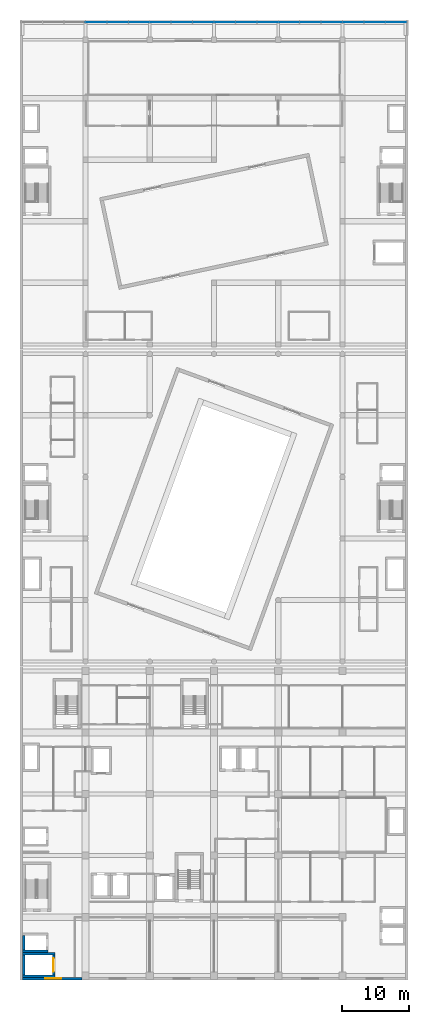
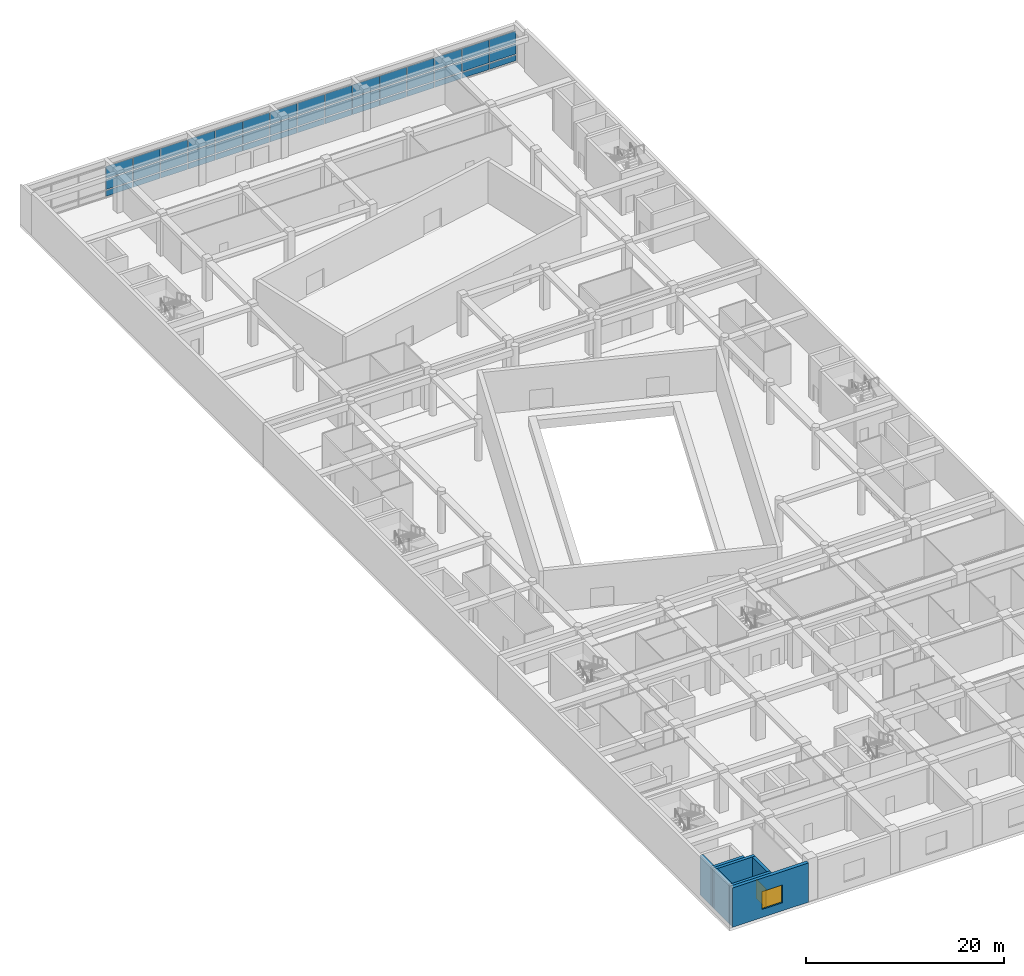
# One storey, part 7 of 31: 45 plates, 7 walls, 1 door, 1 window, 2 openings, 1 element without a shape of its own.
"""IFC4 building model written with IfcOpenShell, lengths in metres."""

from ifc_helpers import new_model, si_unit, direction, frame, frame_2d, origin, origin_2d, place, context, subcontext, project, spatial, rectangle, extrude, material, layer, layer_set, layer_usage, type_object, element, fill, aggregate, save


model = new_model("IFC4")

# Units and contexts
model_context = context("Model", 3, precision=1e-05, world=origin(), true_north=direction((0.0, 1.0)))
body_context = subcontext(model_context, "Body", "Model", "MODEL_VIEW")
ifc_project = project(units=[si_unit("LENGTHUNIT", "METRE"), si_unit("AREAUNIT", "SQUARE_METRE"), si_unit("VOLUMEUNIT", "CUBIC_METRE"), si_unit("PLANEANGLEUNIT", "RADIAN"), si_unit("MASSUNIT", "GRAM", prefix="KILO")], contexts=[model_context])

# Site, building, storey
site_placement = place(None, origin())
site = spatial("IfcSite", under=ifc_project, at=site_placement, CompositionType="ELEMENT")
building_placement = place(site_placement, origin())
building = spatial("IfcBuilding", under=site, at=building_placement, Name="Nzadi Deep Aquarium and Research Tower", CompositionType="ELEMENT")
storey_placement = place(building_placement, frame((0.0, 0.0, 26.699951171875)))
storey = spatial("IfcBuildingStorey", under=building, at=storey_placement, Name="L04", CompositionType="ELEMENT", Elevation=26.699951171875)

# Curtain wall, plates
ifc_material_1 = material(Name="Aluminium unitised frame tall span", Category="aluminium")
ifc_layer_1 = layer(ifc_material_1, 0.35009765625)
ifc_layer_set_1 = layer_set([ifc_layer_1], Name="Aluminium unitised frame tall span")
curtain_wall_type = type_object("IfcCurtainWallType", Name="Curtain wall Podium 350", PredefinedType="NOTDEFINED", material=ifc_layer_set_1)
curtain_wall_placement = place(storey_placement, origin())
curtain_wall = element("IfcCurtainWall", 1, at=curtain_wall_placement, inside=storey, type_object=curtain_wall_type, Name="North cascade curtain wall L04", PredefinedType="NOTDEFINED")
ifc_material_2 = material(Name="Glass, clear low-iron", Category="glass")
ifc_layer_2 = layer(ifc_material_2, 0.0400390625)
ifc_layer_set_2 = layer_set([ifc_layer_2], Name="Glass, clear low-iron")
plate_type_1 = type_object("IfcPlateType", Name="Glazing panel 40 Podium", PredefinedType="CURTAIN_PANEL", material=ifc_layer_set_2)
plate_1_placement = place(storey_placement, frame((11.199951171875, 142.97509765625, 0.97021484375), z_axis=(0.0, 0.0, 1.0), x_axis=(1.0, 0.0, 0.0)))
plate_1 = element("IfcPlate", 2, at=plate_1_placement, type_object=plate_type_1, Name="CW256 panel 4.2", PredefinedType="CURTAIN_PANEL", context=body_context, shape_type="SweptSolid", body=[
    extrude(rectangle(XDim=3.139892578125, YDim=0.0400390625, at=origin_2d()), origin(), (0.0, 0.0, 1.0), 1.235107421875),
])
plate_2_placement = place(storey_placement, frame((11.199951171875, 142.97509765625, 2.34521484375), z_axis=(0.0, 0.0, 1.0), x_axis=(1.0, 0.0, 0.0)))
plate_2 = element("IfcPlate", 3, at=plate_2_placement, type_object=plate_type_1, Name="CW256 panel 4.3", PredefinedType="CURTAIN_PANEL", context=body_context, shape_type="SweptSolid", body=[
    extrude(rectangle(XDim=3.139892578125, YDim=0.0400390625, at=origin_2d()), origin(), (0.0, 0.0, 1.0), 1.465087890625),
])
plate_3_placement = place(storey_placement, frame((14.39990234375, 142.97509765625, 0.97021484375), z_axis=(0.0, 0.0, 1.0), x_axis=(1.0, 0.0, 0.0)))
plate_3 = element("IfcPlate", 4, at=plate_3_placement, type_object=plate_type_1, Name="CW256 panel 5.2", PredefinedType="CURTAIN_PANEL", context=body_context, shape_type="SweptSolid", body=[
    extrude(rectangle(XDim=3.139892578125, YDim=0.0400390625, at=origin_2d()), origin(), (0.0, 0.0, 1.0), 1.235107421875),
])
plate_4_placement = place(storey_placement, frame((14.39990234375, 142.97509765625, 2.34521484375), z_axis=(0.0, 0.0, 1.0), x_axis=(1.0, 0.0, 0.0)))
plate_4 = element("IfcPlate", 5, at=plate_4_placement, type_object=plate_type_1, Name="CW256 panel 5.3", PredefinedType="CURTAIN_PANEL", context=body_context, shape_type="SweptSolid", body=[
    extrude(rectangle(XDim=3.139892578125, YDim=0.0400390625, at=origin_2d()), origin(), (0.0, 0.0, 1.0), 1.465087890625),
])
plate_5_placement = place(storey_placement, frame((17.60009765625, 142.97509765625, 0.97021484375), z_axis=(0.0, 0.0, 1.0), x_axis=(1.0, 0.0, 0.0)))
plate_5 = element("IfcPlate", 6, at=plate_5_placement, type_object=plate_type_1, Name="CW256 panel 6.2", PredefinedType="CURTAIN_PANEL", context=body_context, shape_type="SweptSolid", body=[
    extrude(rectangle(XDim=3.139892578125, YDim=0.0400390625, at=origin_2d()), origin(), (0.0, 0.0, 1.0), 1.235107421875),
])
plate_6_placement = place(storey_placement, frame((17.60009765625, 142.97509765625, 2.34521484375), z_axis=(0.0, 0.0, 1.0), x_axis=(1.0, 0.0, 0.0)))
plate_6 = element("IfcPlate", 7, at=plate_6_placement, type_object=plate_type_1, Name="CW256 panel 6.3", PredefinedType="CURTAIN_PANEL", context=body_context, shape_type="SweptSolid", body=[
    extrude(rectangle(XDim=3.139892578125, YDim=0.0400390625, at=origin_2d()), origin(), (0.0, 0.0, 1.0), 1.465087890625),
])
plate_7_placement = place(storey_placement, frame((20.800048828125, 142.97509765625, 0.97021484375), z_axis=(0.0, 0.0, 1.0), x_axis=(1.0, 0.0, 0.0)))
plate_7 = element("IfcPlate", 8, at=plate_7_placement, type_object=plate_type_1, Name="CW256 panel 7.2", PredefinedType="CURTAIN_PANEL", context=body_context, shape_type="SweptSolid", body=[
    extrude(rectangle(XDim=3.139892578125, YDim=0.0400390625, at=origin_2d()), origin(), (0.0, 0.0, 1.0), 1.235107421875),
])
plate_8_placement = place(storey_placement, frame((20.800048828125, 142.97509765625, 2.34521484375), z_axis=(0.0, 0.0, 1.0), x_axis=(1.0, 0.0, 0.0)))
plate_8 = element("IfcPlate", 9, at=plate_8_placement, type_object=plate_type_1, Name="CW256 panel 7.3", PredefinedType="CURTAIN_PANEL", context=body_context, shape_type="SweptSolid", body=[
    extrude(rectangle(XDim=3.139892578125, YDim=0.0400390625, at=origin_2d()), origin(), (0.0, 0.0, 1.0), 1.465087890625),
])
plate_9_placement = place(storey_placement, frame((24.0, 142.97509765625, 0.97021484375), z_axis=(0.0, 0.0, 1.0), x_axis=(1.0, 0.0, 0.0)))
plate_9 = element("IfcPlate", 10, at=plate_9_placement, type_object=plate_type_1, Name="CW256 panel 8.2", PredefinedType="CURTAIN_PANEL", context=body_context, shape_type="SweptSolid", body=[
    extrude(rectangle(XDim=3.139892578125, YDim=0.0400390625, at=origin_2d()), origin(), (0.0, 0.0, 1.0), 1.235107421875),
])
plate_10_placement = place(storey_placement, frame((24.0, 142.97509765625, 2.34521484375), z_axis=(0.0, 0.0, 1.0), x_axis=(1.0, 0.0, 0.0)))
plate_10 = element("IfcPlate", 11, at=plate_10_placement, type_object=plate_type_1, Name="CW256 panel 8.3", PredefinedType="CURTAIN_PANEL", context=body_context, shape_type="SweptSolid", body=[
    extrude(rectangle(XDim=3.139892578125, YDim=0.0400390625, at=origin_2d()), origin(), (0.0, 0.0, 1.0), 1.465087890625),
])
plate_11_placement = place(storey_placement, frame((27.199951171875, 142.97509765625, 0.97021484375), z_axis=(0.0, 0.0, 1.0), x_axis=(1.0, 0.0, 0.0)))
plate_11 = element("IfcPlate", 12, at=plate_11_placement, type_object=plate_type_1, Name="CW256 panel 9.2", PredefinedType="CURTAIN_PANEL", context=body_context, shape_type="SweptSolid", body=[
    extrude(rectangle(XDim=3.139892578125, YDim=0.0400390625, at=origin_2d()), origin(), (0.0, 0.0, 1.0), 1.235107421875),
])
plate_12_placement = place(storey_placement, frame((27.199951171875, 142.97509765625, 2.34521484375), z_axis=(0.0, 0.0, 1.0), x_axis=(1.0, 0.0, 0.0)))
plate_12 = element("IfcPlate", 13, at=plate_12_placement, type_object=plate_type_1, Name="CW256 panel 9.3", PredefinedType="CURTAIN_PANEL", context=body_context, shape_type="SweptSolid", body=[
    extrude(rectangle(XDim=3.139892578125, YDim=0.0400390625, at=origin_2d()), origin(), (0.0, 0.0, 1.0), 1.465087890625),
])
plate_13_placement = place(storey_placement, frame((30.39990234375, 142.97509765625, 0.97021484375), z_axis=(0.0, 0.0, 1.0), x_axis=(1.0, 0.0, 0.0)))
plate_13 = element("IfcPlate", 14, at=plate_13_placement, type_object=plate_type_1, Name="CW256 panel 10.2", PredefinedType="CURTAIN_PANEL", context=body_context, shape_type="SweptSolid", body=[
    extrude(rectangle(XDim=3.139892578125, YDim=0.0400390625, at=origin_2d()), origin(), (0.0, 0.0, 1.0), 1.235107421875),
])
plate_14_placement = place(storey_placement, frame((30.39990234375, 142.97509765625, 2.34521484375), z_axis=(0.0, 0.0, 1.0), x_axis=(1.0, 0.0, 0.0)))
plate_14 = element("IfcPlate", 15, at=plate_14_placement, type_object=plate_type_1, Name="CW256 panel 10.3", PredefinedType="CURTAIN_PANEL", context=body_context, shape_type="SweptSolid", body=[
    extrude(rectangle(XDim=3.139892578125, YDim=0.0400390625, at=origin_2d()), origin(), (0.0, 0.0, 1.0), 1.465087890625),
])
plate_15_placement = place(storey_placement, frame((33.60009765625, 142.97509765625, 0.97021484375), z_axis=(0.0, 0.0, 1.0), x_axis=(1.0, 0.0, 0.0)))
plate_15 = element("IfcPlate", 16, at=plate_15_placement, type_object=plate_type_1, Name="CW256 panel 11.2", PredefinedType="CURTAIN_PANEL", context=body_context, shape_type="SweptSolid", body=[
    extrude(rectangle(XDim=3.139892578125, YDim=0.0400390625, at=origin_2d()), origin(), (0.0, 0.0, 1.0), 1.235107421875),
])
plate_16_placement = place(storey_placement, frame((33.60009765625, 142.97509765625, 2.34521484375), z_axis=(0.0, 0.0, 1.0), x_axis=(1.0, 0.0, 0.0)))
plate_16 = element("IfcPlate", 17, at=plate_16_placement, type_object=plate_type_1, Name="CW256 panel 11.3", PredefinedType="CURTAIN_PANEL", context=body_context, shape_type="SweptSolid", body=[
    extrude(rectangle(XDim=3.139892578125, YDim=0.0400390625, at=origin_2d()), origin(), (0.0, 0.0, 1.0), 1.465087890625),
])
plate_17_placement = place(storey_placement, frame((36.800048828125, 142.97509765625, 0.97021484375), z_axis=(0.0, 0.0, 1.0), x_axis=(1.0, 0.0, 0.0)))
plate_17 = element("IfcPlate", 18, at=plate_17_placement, type_object=plate_type_1, Name="CW256 panel 12.2", PredefinedType="CURTAIN_PANEL", context=body_context, shape_type="SweptSolid", body=[
    extrude(rectangle(XDim=3.139892578125, YDim=0.0400390625, at=origin_2d()), origin(), (0.0, 0.0, 1.0), 1.235107421875),
])
plate_18_placement = place(storey_placement, frame((36.800048828125, 142.97509765625, 2.34521484375), z_axis=(0.0, 0.0, 1.0), x_axis=(1.0, 0.0, 0.0)))
plate_18 = element("IfcPlate", 19, at=plate_18_placement, type_object=plate_type_1, Name="CW256 panel 12.3", PredefinedType="CURTAIN_PANEL", context=body_context, shape_type="SweptSolid", body=[
    extrude(rectangle(XDim=3.139892578125, YDim=0.0400390625, at=origin_2d()), origin(), (0.0, 0.0, 1.0), 1.465087890625),
])
plate_19_placement = place(storey_placement, frame((40.0, 142.97509765625, 0.97021484375), z_axis=(0.0, 0.0, 1.0), x_axis=(1.0, 0.0, 0.0)))
plate_19 = element("IfcPlate", 20, at=plate_19_placement, type_object=plate_type_1, Name="CW256 panel 13.2", PredefinedType="CURTAIN_PANEL", context=body_context, shape_type="SweptSolid", body=[
    extrude(rectangle(XDim=3.139892578125, YDim=0.0400390625, at=origin_2d()), origin(), (0.0, 0.0, 1.0), 1.235107421875),
])
plate_20_placement = place(storey_placement, frame((40.0, 142.97509765625, 2.34521484375), z_axis=(0.0, 0.0, 1.0), x_axis=(1.0, 0.0, 0.0)))
plate_20 = element("IfcPlate", 21, at=plate_20_placement, type_object=plate_type_1, Name="CW256 panel 13.3", PredefinedType="CURTAIN_PANEL", context=body_context, shape_type="SweptSolid", body=[
    extrude(rectangle(XDim=3.139892578125, YDim=0.0400390625, at=origin_2d()), origin(), (0.0, 0.0, 1.0), 1.465087890625),
])
plate_21_placement = place(storey_placement, frame((43.199951171875, 142.97509765625, 0.97021484375), z_axis=(0.0, 0.0, 1.0), x_axis=(1.0, 0.0, 0.0)))
plate_21 = element("IfcPlate", 22, at=plate_21_placement, type_object=plate_type_1, Name="CW256 panel 14.2", PredefinedType="CURTAIN_PANEL", context=body_context, shape_type="SweptSolid", body=[
    extrude(rectangle(XDim=3.139892578125, YDim=0.0400390625, at=origin_2d()), origin(), (0.0, 0.0, 1.0), 1.235107421875),
])
plate_22_placement = place(storey_placement, frame((43.199951171875, 142.97509765625, 2.34521484375), z_axis=(0.0, 0.0, 1.0), x_axis=(1.0, 0.0, 0.0)))
plate_22 = element("IfcPlate", 23, at=plate_22_placement, type_object=plate_type_1, Name="CW256 panel 14.3", PredefinedType="CURTAIN_PANEL", context=body_context, shape_type="SweptSolid", body=[
    extrude(rectangle(XDim=3.139892578125, YDim=0.0400390625, at=origin_2d()), origin(), (0.0, 0.0, 1.0), 1.465087890625),
])
plate_23_placement = place(storey_placement, frame((46.39990234375, 142.97509765625, 0.97021484375), z_axis=(0.0, 0.0, 1.0), x_axis=(1.0, 0.0, 0.0)))
plate_23 = element("IfcPlate", 24, at=plate_23_placement, type_object=plate_type_1, Name="CW256 panel 15.2", PredefinedType="CURTAIN_PANEL", context=body_context, shape_type="SweptSolid", body=[
    extrude(rectangle(XDim=3.139892578125, YDim=0.0400390625, at=origin_2d()), origin(), (0.0, 0.0, 1.0), 1.235107421875),
])
plate_24_placement = place(storey_placement, frame((46.39990234375, 142.97509765625, 2.34521484375), z_axis=(0.0, 0.0, 1.0), x_axis=(1.0, 0.0, 0.0)))
plate_24 = element("IfcPlate", 25, at=plate_24_placement, type_object=plate_type_1, Name="CW256 panel 15.3", PredefinedType="CURTAIN_PANEL", context=body_context, shape_type="SweptSolid", body=[
    extrude(rectangle(XDim=3.139892578125, YDim=0.0400390625, at=origin_2d()), origin(), (0.0, 0.0, 1.0), 1.465087890625),
])
plate_25_placement = place(storey_placement, frame((49.60009765625, 142.97509765625, 0.97021484375), z_axis=(0.0, 0.0, 1.0), x_axis=(1.0, 0.0, 0.0)))
plate_25 = element("IfcPlate", 26, at=plate_25_placement, type_object=plate_type_1, Name="CW256 panel 16.2", PredefinedType="CURTAIN_PANEL", context=body_context, shape_type="SweptSolid", body=[
    extrude(rectangle(XDim=3.139892578125, YDim=0.0400390625, at=origin_2d()), origin(), (0.0, 0.0, 1.0), 1.235107421875),
])
plate_26_placement = place(storey_placement, frame((49.60009765625, 142.97509765625, 2.34521484375), z_axis=(0.0, 0.0, 1.0), x_axis=(1.0, 0.0, 0.0)))
plate_26 = element("IfcPlate", 27, at=plate_26_placement, type_object=plate_type_1, Name="CW256 panel 16.3", PredefinedType="CURTAIN_PANEL", context=body_context, shape_type="SweptSolid", body=[
    extrude(rectangle(XDim=3.139892578125, YDim=0.0400390625, at=origin_2d()), origin(), (0.0, 0.0, 1.0), 1.465087890625),
])
plate_27_placement = place(storey_placement, frame((52.800048828125, 142.97509765625, 0.97021484375), z_axis=(0.0, 0.0, 1.0), x_axis=(1.0, 0.0, 0.0)))
plate_27 = element("IfcPlate", 28, at=plate_27_placement, type_object=plate_type_1, Name="CW256 panel 17.2", PredefinedType="CURTAIN_PANEL", context=body_context, shape_type="SweptSolid", body=[
    extrude(rectangle(XDim=3.139892578125, YDim=0.0400390625, at=origin_2d()), origin(), (0.0, 0.0, 1.0), 1.235107421875),
])
plate_28_placement = place(storey_placement, frame((52.800048828125, 142.97509765625, 2.34521484375), z_axis=(0.0, 0.0, 1.0), x_axis=(1.0, 0.0, 0.0)))
plate_28 = element("IfcPlate", 29, at=plate_28_placement, type_object=plate_type_1, Name="CW256 panel 17.3", PredefinedType="CURTAIN_PANEL", context=body_context, shape_type="SweptSolid", body=[
    extrude(rectangle(XDim=3.139892578125, YDim=0.0400390625, at=origin_2d()), origin(), (0.0, 0.0, 1.0), 1.465087890625),
])
plate_29_placement = place(storey_placement, frame((55.985107421875, 142.97509765625, 0.97021484375), z_axis=(0.0, 0.0, 1.0), x_axis=(1.0, 0.0, 0.0)))
plate_29 = element("IfcPlate", 30, at=plate_29_placement, type_object=plate_type_1, Name="CW256 panel 18.2", PredefinedType="CURTAIN_PANEL", context=body_context, shape_type="SweptSolid", body=[
    extrude(rectangle(XDim=3.110107421875, YDim=0.0400390625, at=origin_2d()), origin(), (0.0, 0.0, 1.0), 1.235107421875),
])
plate_30_placement = place(storey_placement, frame((55.985107421875, 142.97509765625, 2.34521484375), z_axis=(0.0, 0.0, 1.0), x_axis=(1.0, 0.0, 0.0)))
plate_30 = element("IfcPlate", 31, at=plate_30_placement, type_object=plate_type_1, Name="CW256 panel 18.3", PredefinedType="CURTAIN_PANEL", context=body_context, shape_type="SweptSolid", body=[
    extrude(rectangle(XDim=3.110107421875, YDim=0.0400390625, at=origin_2d()), origin(), (0.0, 0.0, 1.0), 1.465087890625),
])
ifc_material_3 = material(Name="Glass spandrel, enamelled", Category="glass")
ifc_layer_3 = layer(ifc_material_3, 0.0400390625)
ifc_layer_set_3 = layer_set([ifc_layer_3], Name="Glass spandrel, enamelled")
plate_type_2 = type_object("IfcPlateType", Name="Spandrel panel 40 Podium", PredefinedType="CURTAIN_PANEL", material=ifc_layer_set_3)
plate_31_placement = place(storey_placement, frame((11.199951171875, 142.97509765625, 0.14013671875), z_axis=(0.0, 0.0, 1.0), x_axis=(1.0, 0.0, 0.0)))
plate_31 = element("IfcPlate", 32, at=plate_31_placement, type_object=plate_type_2, Name="CW256 panel 4.1", PredefinedType="CURTAIN_PANEL", context=body_context, shape_type="SweptSolid", body=[
    extrude(rectangle(XDim=3.139892578125, YDim=0.0400390625, at=origin_2d()), origin(), (0.0, 0.0, 1.0), 0.68994140625),
])
plate_32_placement = place(storey_placement, frame((14.39990234375, 142.97509765625, 0.14013671875), z_axis=(0.0, 0.0, 1.0), x_axis=(1.0, 0.0, 0.0)))
plate_32 = element("IfcPlate", 33, at=plate_32_placement, type_object=plate_type_2, Name="CW256 panel 5.1", PredefinedType="CURTAIN_PANEL", context=body_context, shape_type="SweptSolid", body=[
    extrude(rectangle(XDim=3.139892578125, YDim=0.0400390625, at=origin_2d()), origin(), (0.0, 0.0, 1.0), 0.68994140625),
])
plate_33_placement = place(storey_placement, frame((17.60009765625, 142.97509765625, 0.14013671875), z_axis=(0.0, 0.0, 1.0), x_axis=(1.0, 0.0, 0.0)))
plate_33 = element("IfcPlate", 34, at=plate_33_placement, type_object=plate_type_2, Name="CW256 panel 6.1", PredefinedType="CURTAIN_PANEL", context=body_context, shape_type="SweptSolid", body=[
    extrude(rectangle(XDim=3.139892578125, YDim=0.0400390625, at=origin_2d()), origin(), (0.0, 0.0, 1.0), 0.68994140625),
])
plate_34_placement = place(storey_placement, frame((20.800048828125, 142.97509765625, 0.14013671875), z_axis=(0.0, 0.0, 1.0), x_axis=(1.0, 0.0, 0.0)))
plate_34 = element("IfcPlate", 35, at=plate_34_placement, type_object=plate_type_2, Name="CW256 panel 7.1", PredefinedType="CURTAIN_PANEL", context=body_context, shape_type="SweptSolid", body=[
    extrude(rectangle(XDim=3.139892578125, YDim=0.0400390625, at=origin_2d()), origin(), (0.0, 0.0, 1.0), 0.68994140625),
])
plate_35_placement = place(storey_placement, frame((24.0, 142.97509765625, 0.14013671875), z_axis=(0.0, 0.0, 1.0), x_axis=(1.0, 0.0, 0.0)))
plate_35 = element("IfcPlate", 36, at=plate_35_placement, type_object=plate_type_2, Name="CW256 panel 8.1", PredefinedType="CURTAIN_PANEL", context=body_context, shape_type="SweptSolid", body=[
    extrude(rectangle(XDim=3.139892578125, YDim=0.0400390625, at=origin_2d()), origin(), (0.0, 0.0, 1.0), 0.68994140625),
])
plate_36_placement = place(storey_placement, frame((27.199951171875, 142.97509765625, 0.14013671875), z_axis=(0.0, 0.0, 1.0), x_axis=(1.0, 0.0, 0.0)))
plate_36 = element("IfcPlate", 37, at=plate_36_placement, type_object=plate_type_2, Name="CW256 panel 9.1", PredefinedType="CURTAIN_PANEL", context=body_context, shape_type="SweptSolid", body=[
    extrude(rectangle(XDim=3.139892578125, YDim=0.0400390625, at=origin_2d()), origin(), (0.0, 0.0, 1.0), 0.68994140625),
])
plate_37_placement = place(storey_placement, frame((30.39990234375, 142.97509765625, 0.14013671875), z_axis=(0.0, 0.0, 1.0), x_axis=(1.0, 0.0, 0.0)))
plate_37 = element("IfcPlate", 38, at=plate_37_placement, type_object=plate_type_2, Name="CW256 panel 10.1", PredefinedType="CURTAIN_PANEL", context=body_context, shape_type="SweptSolid", body=[
    extrude(rectangle(XDim=3.139892578125, YDim=0.0400390625, at=origin_2d()), origin(), (0.0, 0.0, 1.0), 0.68994140625),
])
plate_38_placement = place(storey_placement, frame((33.60009765625, 142.97509765625, 0.14013671875), z_axis=(0.0, 0.0, 1.0), x_axis=(1.0, 0.0, 0.0)))
plate_38 = element("IfcPlate", 39, at=plate_38_placement, type_object=plate_type_2, Name="CW256 panel 11.1", PredefinedType="CURTAIN_PANEL", context=body_context, shape_type="SweptSolid", body=[
    extrude(rectangle(XDim=3.139892578125, YDim=0.0400390625, at=origin_2d()), origin(), (0.0, 0.0, 1.0), 0.68994140625),
])
plate_39_placement = place(storey_placement, frame((36.800048828125, 142.97509765625, 0.14013671875), z_axis=(0.0, 0.0, 1.0), x_axis=(1.0, 0.0, 0.0)))
plate_39 = element("IfcPlate", 40, at=plate_39_placement, type_object=plate_type_2, Name="CW256 panel 12.1", PredefinedType="CURTAIN_PANEL", context=body_context, shape_type="SweptSolid", body=[
    extrude(rectangle(XDim=3.139892578125, YDim=0.0400390625, at=origin_2d()), origin(), (0.0, 0.0, 1.0), 0.68994140625),
])
plate_40_placement = place(storey_placement, frame((40.0, 142.97509765625, 0.14013671875), z_axis=(0.0, 0.0, 1.0), x_axis=(1.0, 0.0, 0.0)))
plate_40 = element("IfcPlate", 41, at=plate_40_placement, type_object=plate_type_2, Name="CW256 panel 13.1", PredefinedType="CURTAIN_PANEL", context=body_context, shape_type="SweptSolid", body=[
    extrude(rectangle(XDim=3.139892578125, YDim=0.0400390625, at=origin_2d()), origin(), (0.0, 0.0, 1.0), 0.68994140625),
])
plate_41_placement = place(storey_placement, frame((43.199951171875, 142.97509765625, 0.14013671875), z_axis=(0.0, 0.0, 1.0), x_axis=(1.0, 0.0, 0.0)))
plate_41 = element("IfcPlate", 42, at=plate_41_placement, type_object=plate_type_2, Name="CW256 panel 14.1", PredefinedType="CURTAIN_PANEL", context=body_context, shape_type="SweptSolid", body=[
    extrude(rectangle(XDim=3.139892578125, YDim=0.0400390625, at=origin_2d()), origin(), (0.0, 0.0, 1.0), 0.68994140625),
])
plate_42_placement = place(storey_placement, frame((46.39990234375, 142.97509765625, 0.14013671875), z_axis=(0.0, 0.0, 1.0), x_axis=(1.0, 0.0, 0.0)))
plate_42 = element("IfcPlate", 43, at=plate_42_placement, type_object=plate_type_2, Name="CW256 panel 15.1", PredefinedType="CURTAIN_PANEL", context=body_context, shape_type="SweptSolid", body=[
    extrude(rectangle(XDim=3.139892578125, YDim=0.0400390625, at=origin_2d()), origin(), (0.0, 0.0, 1.0), 0.68994140625),
])
plate_43_placement = place(storey_placement, frame((49.60009765625, 142.97509765625, 0.14013671875), z_axis=(0.0, 0.0, 1.0), x_axis=(1.0, 0.0, 0.0)))
plate_43 = element("IfcPlate", 44, at=plate_43_placement, type_object=plate_type_2, Name="CW256 panel 16.1", PredefinedType="CURTAIN_PANEL", context=body_context, shape_type="SweptSolid", body=[
    extrude(rectangle(XDim=3.139892578125, YDim=0.0400390625, at=origin_2d()), origin(), (0.0, 0.0, 1.0), 0.68994140625),
])
plate_44_placement = place(storey_placement, frame((52.800048828125, 142.97509765625, 0.14013671875), z_axis=(0.0, 0.0, 1.0), x_axis=(1.0, 0.0, 0.0)))
plate_44 = element("IfcPlate", 45, at=plate_44_placement, type_object=plate_type_2, Name="CW256 panel 17.1", PredefinedType="CURTAIN_PANEL", context=body_context, shape_type="SweptSolid", body=[
    extrude(rectangle(XDim=3.139892578125, YDim=0.0400390625, at=origin_2d()), origin(), (0.0, 0.0, 1.0), 0.68994140625),
])
plate_45_placement = place(storey_placement, frame((55.985107421875, 142.97509765625, 0.14013671875), z_axis=(0.0, 0.0, 1.0), x_axis=(1.0, 0.0, 0.0)))
plate_45 = element("IfcPlate", 46, at=plate_45_placement, type_object=plate_type_2, Name="CW256 panel 18.1", PredefinedType="CURTAIN_PANEL", context=body_context, shape_type="SweptSolid", body=[
    extrude(rectangle(XDim=3.110107421875, YDim=0.0400390625, at=origin_2d()), origin(), (0.0, 0.0, 1.0), 0.68994140625),
])
aggregate(curtain_wall, [plate_31, plate_1, plate_2, plate_32, plate_3, plate_4, plate_33, plate_5, plate_6, plate_34, plate_7, plate_8, plate_35, plate_9, plate_10, plate_36, plate_11, plate_12, plate_37, plate_13, plate_14, plate_38, plate_15, plate_16, plate_39, plate_17, plate_18, plate_40, plate_19, plate_20, plate_41, plate_21, plate_22, plate_42, plate_23, plate_24, plate_43, plate_25, plate_26, plate_44, plate_27, plate_28, plate_45, plate_29, plate_30])

# Walls
ifc_material_4 = material(Name="Concrete C35/45", Category="concrete")
ifc_layer_4 = layer(ifc_material_4, 0.35009765625)
ifc_layer_set_4 = layer_set([ifc_layer_4], Name="Concrete C35/45")
wall_type_1 = type_object("IfcWallType", Name="RC core wall 350, 4.85 m high", PredefinedType="SHEAR", material=ifc_layer_set_4)
for number, where, z_axis, x_axis, name in (
    (47, (0.199951171875, 0.375, 0.0), (0.0, 0.0, 1.0), (1.0, 0.0, 0.0), "W-CORE-GL1-L04-S"),
    (48, (0.199951171875, 3.72509765625, 0.0), (0.0, 0.0, 1.0), (1.0, 0.0, 0.0), "W-CORE-GL1-L04-N"),
):
    element("IfcWall", number, at=place(storey_placement, frame(where, z_axis=z_axis, x_axis=x_axis)), inside=storey, type_object=wall_type_1, Name=name, PredefinedType="SHEAR", context=body_context, shape_type="SweptSolid", body=[
        extrude(rectangle(XDim=4.800048828125, YDim=0.35009765625, at=frame_2d((2.39990234375, 0.0))), origin(), (0.0, 0.0, 1.0), 4.85009765625),
    ])
wall_1_placement = place(storey_placement, frame((0.375, 0.550048828125, 0.0), z_axis=(0.0, 0.0, 1.0), x_axis=(0.0, 1.0, 0.0)))
element("IfcWall", 49, at=wall_1_placement, inside=storey, type_object=wall_type_1, Name="W-CORE-GL1-L04-W", PredefinedType="SHEAR", context=body_context, shape_type="SweptSolid", body=[
    extrude(rectangle(XDim=3.0, YDim=0.35009765625, at=frame_2d((1.5, 0.0))), origin(), (0.0, 0.0, 1.0), 4.85009765625),
])

# Wall, opening, door
wall_2_placement = place(storey_placement, frame((4.824951171875, 0.550048828125, 0.0), z_axis=(0.0, 0.0, 1.0), x_axis=(0.0, 1.0, 0.0)))
wall_2 = element("IfcWall", 50, at=wall_2_placement, inside=storey, type_object=wall_type_1, Name="W-CORE-GL1-L04-E", PredefinedType="SHEAR", context=body_context, shape_type="SweptSolid", body=[
    extrude(rectangle(XDim=3.0, YDim=0.35009765625, at=frame_2d((1.5, 0.0))), origin(), (0.0, 0.0, 1.0), 4.85009765625),
])
opening_1_placement = place(wall_2_placement, frame((0.5, 0.0, 0.0)))
opening_1 = element("IfcOpeningElement", 51, at=opening_1_placement, cuts=wall_2, Name="Opening LD-GL1-L04", PredefinedType="OPENING", context=body_context, shape_type="SweptSolid", body=[
    extrude(rectangle(XDim=2.0, YDim=2.39990234375, at=frame_2d((1.0, 1.199951171875))), frame((0.0, 0.18505859375, 0.0), z_axis=(0.0, -1.0, 0.0), x_axis=(1.0, 0.0, 0.0)), (0.0, 0.0, 1.0), 0.3701171875),
])
ifc_material_5 = material(Name="Stainless steel 1.4301", Category="steel")
door_type = type_object("IfcDoorType", Name="LANDING DOOR 2000x2400", OperationType="DOUBLE_DOOR_SLIDING", PredefinedType="DOOR", material=ifc_material_5)
door_placement = place(opening_1_placement, origin())
door = element("IfcDoor", 52, at=door_placement, inside=storey, type_object=door_type, Name="Landing door GL1 L04", OperationType="DOUBLE_DOOR_SLIDING", OverallHeight=2.39990234375, OverallWidth=2.0, PredefinedType="DOOR", context=body_context, shape_type="SweptSolid", body=[
    extrude(rectangle(XDim=2.0, YDim=2.39990234375, at=frame_2d((1.0, 1.199951171875))), frame((0.0, 0.02490234375, 0.0), z_axis=(0.0, -1.0, 0.0), x_axis=(1.0, 0.0, 0.0)), (0.0, 0.0, 1.0), 0.050048828125),
])
fill(opening_1, door)

# Walls
wall_3_placement = place(storey_placement, frame((0.199951171875, 4.074951171875, 0.0), z_axis=(0.0, 0.0, 1.0), x_axis=(1.0, 0.0, 0.0)))
element("IfcWall", 53, at=wall_3_placement, inside=storey, type_object=wall_type_1, Name="W-CORE-EL1-L04-S", PredefinedType="SHEAR", context=body_context, shape_type="SweptSolid", body=[
    extrude(rectangle(XDim=3.800048828125, YDim=0.35009765625, at=frame_2d((1.89990234375, 0.0))), origin(), (0.0, 0.0, 1.0), 4.85009765625),
])
wall_4_placement = place(storey_placement, frame((0.375, 4.25, 0.0), z_axis=(0.0, 0.0, 1.0), x_axis=(0.0, 1.0, 0.0)))
element("IfcWall", 54, at=wall_4_placement, inside=storey, type_object=wall_type_1, Name="W-CORE-EL1-L04-W", PredefinedType="SHEAR", context=body_context, shape_type="SweptSolid", body=[
    extrude(rectangle(XDim=2.199951171875, YDim=0.35009765625, at=frame_2d((1.10009765625, 0.0))), origin(), (0.0, 0.0, 1.0), 4.85009765625),
])

# Wall, opening, window
ifc_material_6 = material(Name="Concrete C35/45", Category="concrete")
ifc_layer_5 = layer(ifc_material_6, 0.25, Category="cladding")
ifc_material_7 = material(Name="Mineral wool insulation")
ifc_layer_6 = layer(ifc_material_7, 0.10009765625, Category="insulation")
ifc_material_8 = material(Name="Concrete block lining", Category="concrete")
ifc_layer_7 = layer(ifc_material_8, 0.050048828125, Category="lining")
ifc_layer_set_5 = layer_set([ifc_layer_5, ifc_layer_6, ifc_layer_7], Name="Concrete C35/45, Mineral wool insulation, Concrete block lining")
ifc_layer_usage = layer_usage(ifc_layer_set_5, "AXIS2", "POSITIVE", -0.199951171875)
wall_type_2 = type_object("IfcWallType", Name="South end wall board-formed concrete 400", PredefinedType="ELEMENTEDWALL", material=ifc_layer_set_5)
wall_5_placement = place(storey_placement, frame((0.199951171875, 0.0, 0.0), z_axis=(0.0, 0.0, 1.0), x_axis=(1.0, 0.0, 0.0)))
wall_5 = element("IfcWall", 55, at=wall_5_placement, inside=storey, type_object=wall_type_2, material=ifc_layer_usage, Name="South end wall L04", PredefinedType="ELEMENTEDWALL", context=body_context, shape_type="SweptSolid", body=[
    extrude(rectangle(XDim=8.85009765625, YDim=0.39990234375, at=frame_2d((4.425048828125, 0.0))), origin(), (0.0, 0.0, 1.0), 4.85009765625),
])
opening_2_placement = place(wall_5_placement, frame((3.39990234375, 0.0, 1.0)))
opening_2 = element("IfcOpeningElement", 56, at=opening_2_placement, cuts=wall_5, Name="Opening WN09", PredefinedType="OPENING", context=body_context, shape_type="SweptSolid", body=[
    extrude(rectangle(XDim=2.39990234375, YDim=2.199951171875, at=frame_2d((1.199951171875, 1.10009765625))), frame((0.0, 0.2099609375, 0.0), z_axis=(0.0, -1.0, 0.0), x_axis=(1.0, 0.0, 0.0)), (0.0, 0.0, 1.0), 0.419921875),
])
ifc_material_9 = material(Name="Aluminium framed glazing", Category="aluminium")
window_type = type_object("IfcWindowType", Name="Punched window 2400x2200 sill 1000", PartitioningType="SINGLE_PANEL", PredefinedType="WINDOW", material=ifc_material_9)
window_placement = place(opening_2_placement, origin())
window = element("IfcWindow", 57, at=window_placement, inside=storey, type_object=window_type, Name="Podium south face window L04", OverallHeight=2.199951171875, OverallWidth=2.39990234375, PartitioningType="SINGLE_PANEL", PredefinedType="WINDOW", context=body_context, shape_type="SweptSolid", body=[
    extrude(rectangle(XDim=2.39990234375, YDim=2.199951171875, at=frame_2d((1.199951171875, 1.10009765625))), frame((0.0, 0.030029296875, 0.0), z_axis=(0.0, -1.0, 0.0), x_axis=(1.0, 0.0, 0.0)), (0.0, 0.0, 1.0), 0.06005859375),
])
fill(opening_2, window)

save(model, "model.ifc")
